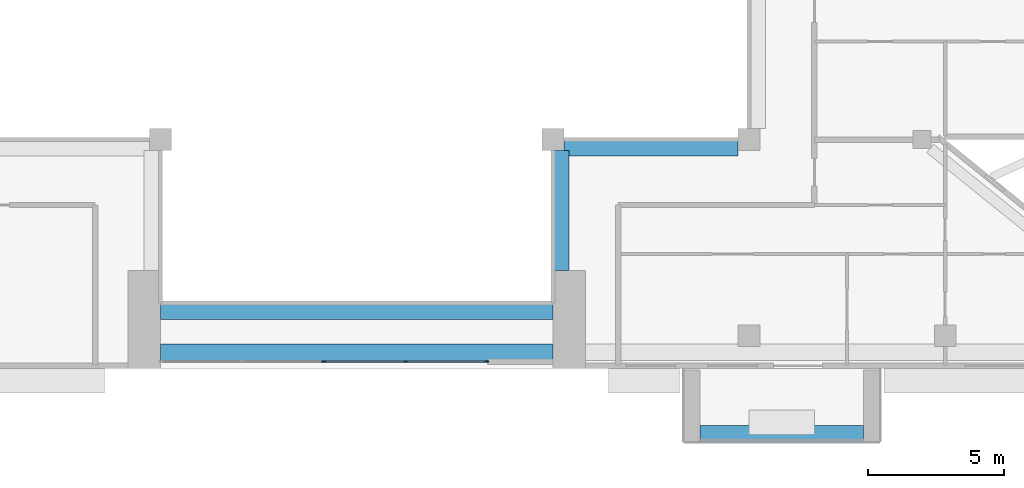
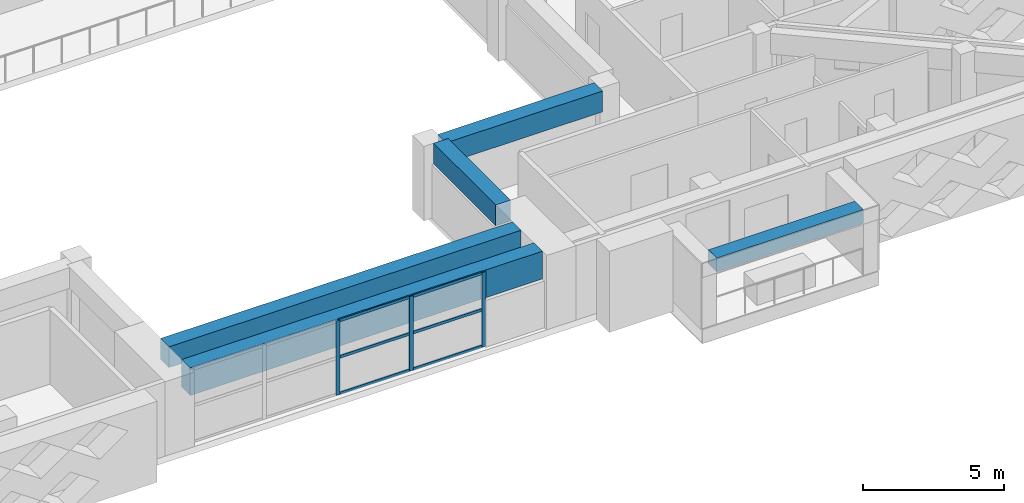
# One storey, part 4 of 19: 9 members, 5 beams, 1 element without a shape of its own.
"""IFC4 building model written with IfcOpenShell, lengths in metres."""

from ifc_helpers import new_model, si_unit, direction, frame, origin, origin_2d, place, context, subcontext, project, spatial, rectangle, extrude, source, transform, mapped, material, layer, layer_set, material_profile, profile_set, type_object, element, aggregate, save


model = new_model("IFC4")

# Units and contexts
model_context = context("Model", 3, precision=1e-05, world=origin(), true_north=direction((0.0, 1.0)))
body_context = subcontext(model_context, "Body", "Model", "MODEL_VIEW")
ifc_project = project(units=[si_unit("LENGTHUNIT", "METRE"), si_unit("AREAUNIT", "SQUARE_METRE"), si_unit("VOLUMEUNIT", "CUBIC_METRE"), si_unit("PLANEANGLEUNIT", "RADIAN"), si_unit("MASSUNIT", "GRAM", prefix="KILO")], contexts=[model_context])

# Site, building, storey
site_placement = place(None, origin())
site = spatial("IfcSite", under=ifc_project, at=site_placement, CompositionType="ELEMENT")
building_placement = place(site_placement, origin())
building = spatial("IfcBuilding", under=site, at=building_placement, Name="Saffron Iwan Residences", CompositionType="ELEMENT")
storey_placement = place(building_placement, frame((0.0, 0.0, 250.0)))
storey = spatial("IfcBuildingStorey", under=building, at=storey_placement, Name="L67", CompositionType="ELEMENT", Elevation=250.0)

# Beams
ifc_material_1 = material(Name="Concrete C40/50", Category="concrete")
ifc_material_profile_1 = material_profile(ifc_material_1, rectangle(XDim=0.60009765625, YDim=1.199951171875, at=origin_2d()), Name="RC 600x1200")
ifc_profile_set_1 = profile_set([ifc_material_profile_1], Name="Concrete C40/50")
beam_type_1 = type_object("IfcBeamType", Name="LINTEL BEAM RC 600x1200 C40/50 TOP 3220", PredefinedType="LINTEL", material=ifc_profile_set_1)
shared_shape_1 = source(origin(), body_context, "Body", "SweptSolid", [
    extrude(rectangle(XDim=0.60009765625, YDim=1.199951171875, at=origin_2d()), origin(), (0.0, 0.0, 1.0), 14.400146484375),
])
beam_1_placement = place(storey_placement, frame((57.60009765625, 40.199951171875, 2.6201171875), z_axis=(-1.0, 0.0, 0.0), x_axis=(0.0, -1.0, 0.0)))
element("IfcBeam", 1, at=beam_1_placement, inside=storey, type_object=beam_type_1, Name="Lintel beam over the iwan", PredefinedType="LINTEL", context=body_context, shape_type="MappedRepresentation", body=[
    mapped(shared_shape_1, transform((0.0, 0.0, 0.0))),
])
ifc_material_profile_2 = material_profile(ifc_material_1, rectangle(XDim=0.60009765625, YDim=0.89990234375, at=origin_2d()), Name="RC 600x900")
ifc_profile_set_2 = profile_set([ifc_material_profile_2], Name="Concrete C40/50")
beam_type_2 = type_object("IfcBeamType", Name="BEAM RC 600x900 C40/50 TOP 3220", PredefinedType="BEAM", material=ifc_profile_set_2)
shared_shape_2 = source(origin(), body_context, "Body", "SweptSolid", [
    extrude(rectangle(XDim=0.60009765625, YDim=0.89990234375, at=origin_2d()), origin(), (0.0, 0.0, 1.0), 14.400146484375),
])
beam_2_placement = place(storey_placement, frame((57.60009765625, 41.699951171875, 2.77001953125), z_axis=(-1.0, 0.0, 0.0), x_axis=(0.0, -1.0, 0.0)))
element("IfcBeam", 2, at=beam_2_placement, inside=storey, type_object=beam_type_2, Name="Atrium edge beam", PredefinedType="BEAM", context=body_context, shape_type="MappedRepresentation", body=[
    mapped(shared_shape_2, transform((0.0, 0.0, 0.0))),
])
shared_shape_3 = source(origin(), body_context, "Body", "SweptSolid", [
    extrude(rectangle(XDim=0.60009765625, YDim=0.89990234375, at=origin_2d()), origin(), (0.0, 0.0, 1.0), 4.400146484375),
])
beam_3_placement = place(storey_placement, frame((57.89990234375, 47.60009765625, 2.77001953125), z_axis=(0.0, -1.0, 0.0), x_axis=(1.0, 0.0, 0.0)))
element("IfcBeam", 3, at=beam_3_placement, inside=storey, type_object=beam_type_2, Name="Atrium edge beam", PredefinedType="BEAM", context=body_context, shape_type="MappedRepresentation", body=[
    mapped(shared_shape_3, transform((0.0, 0.0, 0.0))),
])
shared_shape_4 = source(origin(), body_context, "Body", "SweptSolid", [
    extrude(rectangle(XDim=0.60009765625, YDim=0.89990234375, at=origin_2d()), origin(), (0.0, 0.0, 1.0), 6.39990234375),
])
beam_4_placement = place(storey_placement, frame((64.39990234375, 47.699951171875, 2.77001953125), z_axis=(-1.0, 0.0, 0.0), x_axis=(0.0, -1.0, 0.0)))
element("IfcBeam", 4, at=beam_4_placement, inside=storey, type_object=beam_type_2, Name="Atrium edge beam", PredefinedType="BEAM", context=body_context, shape_type="MappedRepresentation", body=[
    mapped(shared_shape_4, transform((0.0, 0.0, 0.0))),
])

# Curtain wall, members
ifc_material_2 = material(Name="Clear glass, laminated double glazed", Category="glass")
ifc_layer = layer(ifc_material_2, 0.199951171875)
ifc_layer_set = layer_set([ifc_layer], Name="Clear glass, laminated double glazed")
curtain_wall_type = type_object("IfcCurtainWallType", Name="CW-B IWAN PORTAL", PredefinedType="NOTDEFINED", material=ifc_layer_set)
curtain_wall_placement = place(storey_placement, origin())
curtain_wall = element("IfcCurtainWall", 5, at=curtain_wall_placement, inside=storey, type_object=curtain_wall_type, Name="Iwan portal glazing L67.1", PredefinedType="NOTDEFINED")
ifc_material_3 = material(Name="Aluminium 6063-T6", Category="aluminium")
ifc_material_profile_3 = material_profile(ifc_material_3, rectangle(XDim=0.06005859375, YDim=0.1201171875, at=origin_2d()), Name="CW-B TRANSOM 60 x 120")
ifc_profile_set_3 = profile_set([ifc_material_profile_3], Name="Aluminium 6063-T6")
member_type_1 = type_object("IfcMemberType", Name="CW-B TRANSOM 60 x 120", PredefinedType="USERDEFINED", material=ifc_profile_set_3)
shared_shape_5 = source(origin(), body_context, "Body", "SweptSolid", [
    extrude(rectangle(XDim=0.06005859375, YDim=0.1201171875, at=origin_2d()), origin(), (0.0, 0.0, 1.0), 2.909912109375),
])
member_1_placement = place(storey_placement, frame((52.22998046875, 39.85009765625, 0.030029296875), z_axis=(1.0, 0.0, 0.0), x_axis=(0.0, 1.0, 0.0)))
member_1 = element("IfcMember", 6, at=member_1_placement, type_object=member_type_1, Name="CW-B transom 4.1", ObjectType="TRANSOM", PredefinedType="USERDEFINED", context=body_context, shape_type="MappedRepresentation", body=[
    mapped(shared_shape_5, transform((0.0, 0.0, 0.0))),
])
member_2_placement = place(storey_placement, frame((52.22998046875, 39.85009765625, 1.610107421875), z_axis=(1.0, 0.0, 0.0), x_axis=(0.0, 1.0, 0.0)))
member_2 = element("IfcMember", 7, at=member_2_placement, type_object=member_type_1, Name="CW-B transom 4.2", ObjectType="TRANSOM", PredefinedType="USERDEFINED", context=body_context, shape_type="MappedRepresentation", body=[
    mapped(shared_shape_5, transform((0.0, 0.0, 0.0))),
])
member_3_placement = place(storey_placement, frame((52.22998046875, 39.85009765625, 3.18994140625), z_axis=(1.0, 0.0, 0.0), x_axis=(0.0, 1.0, 0.0)))
member_3 = element("IfcMember", 8, at=member_3_placement, type_object=member_type_1, Name="CW-B transom 4.3", ObjectType="TRANSOM", PredefinedType="USERDEFINED", context=body_context, shape_type="MappedRepresentation", body=[
    mapped(shared_shape_5, transform((0.0, 0.0, 0.0))),
])
shared_shape_6 = source(origin(), body_context, "Body", "SweptSolid", [
    extrude(rectangle(XDim=0.06005859375, YDim=0.1201171875, at=origin_2d()), origin(), (0.0, 0.0, 1.0), 2.93994140625),
])
member_4_placement = place(storey_placement, frame((49.22998046875, 39.85009765625, 0.030029296875), z_axis=(1.0, 0.0, 0.0), x_axis=(0.0, 1.0, 0.0)))
member_4 = element("IfcMember", 9, at=member_4_placement, type_object=member_type_1, Name="CW-B transom 3.1", ObjectType="TRANSOM", PredefinedType="USERDEFINED", context=body_context, shape_type="MappedRepresentation", body=[
    mapped(shared_shape_6, transform((0.0, 0.0, 0.0))),
])
member_5_placement = place(storey_placement, frame((49.22998046875, 39.85009765625, 1.610107421875), z_axis=(1.0, 0.0, 0.0), x_axis=(0.0, 1.0, 0.0)))
member_5 = element("IfcMember", 10, at=member_5_placement, type_object=member_type_1, Name="CW-B transom 3.2", ObjectType="TRANSOM", PredefinedType="USERDEFINED", context=body_context, shape_type="MappedRepresentation", body=[
    mapped(shared_shape_6, transform((0.0, 0.0, 0.0))),
])
member_6_placement = place(storey_placement, frame((49.22998046875, 39.85009765625, 3.18994140625), z_axis=(1.0, 0.0, 0.0), x_axis=(0.0, 1.0, 0.0)))
member_6 = element("IfcMember", 11, at=member_6_placement, type_object=member_type_1, Name="CW-B transom 3.3", ObjectType="TRANSOM", PredefinedType="USERDEFINED", context=body_context, shape_type="MappedRepresentation", body=[
    mapped(shared_shape_6, transform((0.0, 0.0, 0.0))),
])

# Beam
ifc_material_4 = material(Name="Concrete C50/60 white painted", Category="concrete")
ifc_material_profile_4 = material_profile(ifc_material_4, rectangle(XDim=0.60009765625, YDim=0.60009765625, at=origin_2d()), Name="BALCONY FASCIA BEAM 600 x 600")
ifc_profile_set_4 = profile_set([ifc_material_profile_4], Name="Concrete C50/60 white painted")
beam_type_3 = type_object("IfcBeamType", Name="BALCONY FASCIA BEAM 600 x 600", PredefinedType="BEAM", material=ifc_profile_set_4)
shared_shape_7 = source(origin(), body_context, "Body", "SweptSolid", [
    extrude(rectangle(XDim=0.60009765625, YDim=0.60009765625, at=origin_2d()), origin(), (0.0, 0.0, 1.0), 6.0),
])
beam_5_placement = place(storey_placement, frame((63.0, 37.199951171875, 2.550048828125), z_axis=(1.0, 0.0, 0.0), x_axis=(0.0, 1.0, 0.0)))
element("IfcBeam", 12, at=beam_5_placement, inside=storey, type_object=beam_type_3, Name="Balcony fascia beam L67 11-1", PredefinedType="BEAM", context=body_context, shape_type="MappedRepresentation", body=[
    mapped(shared_shape_7, transform((0.0, 0.0, 0.0))),
])

# Member
ifc_material_profile_5 = material_profile(ifc_material_3, rectangle(XDim=0.06005859375, YDim=0.159912109375, at=origin_2d()), Name="CW-B MULLION 60 x 160")
ifc_profile_set_5 = profile_set([ifc_material_profile_5], Name="Aluminium 6063-T6")
member_type_2 = type_object("IfcMemberType", Name="CW-B MULLION 60 x 160", PredefinedType="MULLION", material=ifc_profile_set_5)
shared_shape_8 = source(origin(), body_context, "Body", "SweptSolid", [
    extrude(rectangle(XDim=0.06005859375, YDim=0.159912109375, at=origin_2d()), origin(), (0.0, 0.0, 1.0), 3.219970703125),
])
member_7_placement = place(storey_placement, frame((49.199951171875, 39.85009765625, 0.0), z_axis=(0.0, 0.0, 1.0), x_axis=(0.0, 1.0, 0.0)))
member_7 = element("IfcMember", 13, at=member_7_placement, type_object=member_type_2, Name="CW-B mullion 3", PredefinedType="MULLION", context=body_context, shape_type="MappedRepresentation", body=[
    mapped(shared_shape_8, transform((0.0, 0.0, 0.0))),
])

member_8_placement = place(storey_placement, frame((52.199951171875, 39.85009765625, 0.0), z_axis=(0.0, 0.0, 1.0), x_axis=(0.0, 1.0, 0.0)))
member_8 = element("IfcMember", 14, at=member_8_placement, type_object=member_type_2, Name="CW-B mullion 4", PredefinedType="MULLION", context=body_context, shape_type="MappedRepresentation", body=[
    mapped(shared_shape_8, transform((0.0, 0.0, 0.0))),
])

member_9_placement = place(storey_placement, frame((55.169921875, 39.85009765625, 0.0), z_axis=(0.0, 0.0, 1.0), x_axis=(0.0, 1.0, 0.0)))
member_9 = element("IfcMember", 15, at=member_9_placement, type_object=member_type_2, Name="CW-B mullion 5", PredefinedType="MULLION", context=body_context, shape_type="MappedRepresentation", body=[
    mapped(shared_shape_8, transform((0.0, 0.0, 0.0))),
])

aggregate(curtain_wall, [member_7, member_8, member_9, member_4, member_5, member_6, member_1, member_2, member_3])

save(model, "model.ifc")
